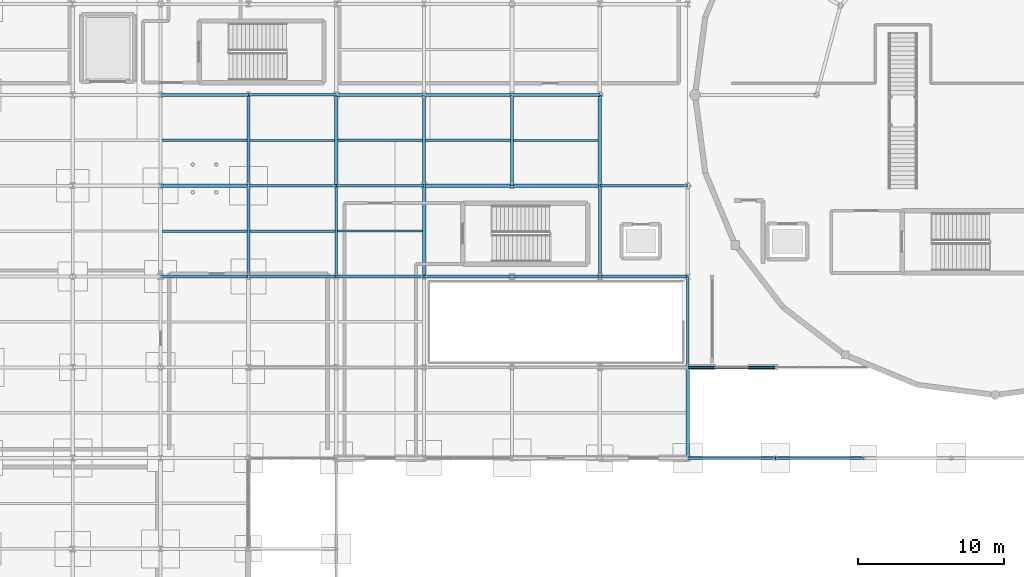
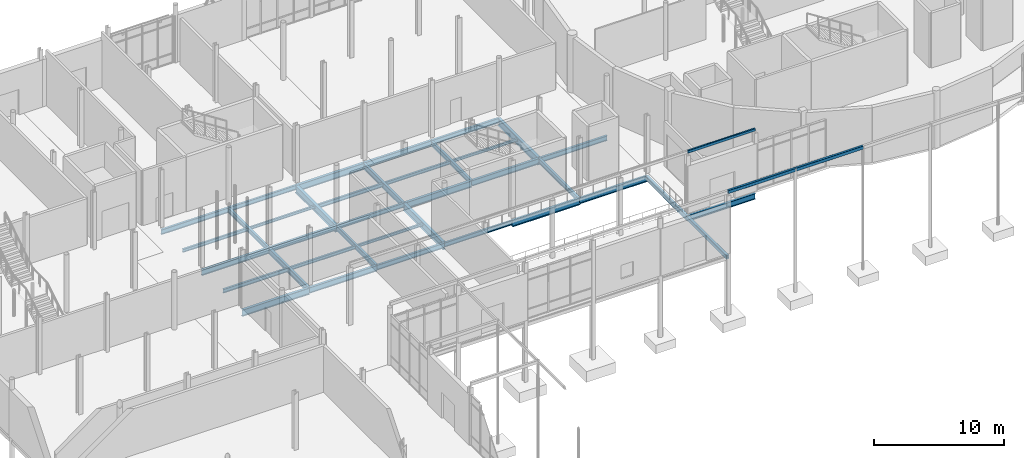
# One storey, part 34 of 98: 40 beams.
"""IFC4 building model written with IfcOpenShell, lengths in metres."""

from ifc_helpers import new_model, si_unit, direction, frame, origin, origin_2d, place, context, subcontext, project, spatial, hollow_rectangle, i_section, extrude, material, material_profile, profile_set, type_object, element, save


model = new_model("IFC4")

# Units and contexts
model_context = context("Model", 3, precision=1e-05, world=origin(), true_north=direction((0.0, 1.0)))
body_context = subcontext(model_context, "Body", "Model", "MODEL_VIEW")
ifc_project = project(units=[si_unit("LENGTHUNIT", "METRE"), si_unit("AREAUNIT", "SQUARE_METRE"), si_unit("VOLUMEUNIT", "CUBIC_METRE"), si_unit("PLANEANGLEUNIT", "RADIAN"), si_unit("MASSUNIT", "GRAM", prefix="KILO")], contexts=[model_context])

# Site, building, storey
site_placement = place(None, origin())
site = spatial("IfcSite", under=ifc_project, at=site_placement, CompositionType="ELEMENT")
building_placement = place(site_placement, origin())
building = spatial("IfcBuilding", under=site, at=building_placement, Name="Mirzam Square Science Centre", CompositionType="ELEMENT")
storey_placement = place(building_placement, origin())
storey = spatial("IfcBuildingStorey", under=building, at=storey_placement, Name="L00", CompositionType="ELEMENT", Elevation=0.0)

# Beams
ifc_material = material(Name="Steel S355", Category="steel")
ifc_material_profile_1 = material_profile(ifc_material, i_section(OverallWidth=0.1787109375, OverallDepth=0.409423828125, WebThickness=0.0087890625, FlangeThickness=0.014404296875, FilletRadius=0.01025390625, at=origin_2d()), Name="406x178x67UB")
ifc_profile_set_1 = profile_set([ifc_material_profile_1], Name="Steel S355")
beam_type_1 = type_object("IfcBeamType", Name="BM-UB406", PredefinedType="BEAM", material=ifc_profile_set_1)
for number, where, z_axis, x_axis, name in (
    (1, (42.0, 49.60009765625, -0.504638671875), (1.0, 0.0, 0.0), (0.0, 1.0, 0.0), "L00 girder X8-9"),
    (2, (36.0, 55.800048828125, -0.504638671875), (1.0, 0.0, 0.0), (0.0, 1.0, 0.0), "L00 girder X7-10"),
    (3, (30.0, 62.0, -0.504638671875), (1.0, 0.0, 0.0), (0.0, 1.0, 0.0), "L00 girder X6-11"),
):
    element("IfcBeam", number, at=place(storey_placement, frame(where, z_axis=z_axis, x_axis=x_axis)), inside=storey, type_object=beam_type_1, Name=name, PredefinedType="BEAM", context=body_context, shape_type="SweptSolid", body=[
        extrude(i_section(OverallWidth=0.1787109375, OverallDepth=0.409423828125, WebThickness=0.0087890625, FlangeThickness=0.014404296875, FilletRadius=0.01025390625, at=origin_2d()), origin(), (0.0, 0.0, 1.0), 6.0),
    ])
ifc_material_profile_2 = material_profile(ifc_material, i_section(OverallWidth=0.19140625, OverallDepth=0.4599609375, WebThickness=0.010009765625, FlangeThickness=0.01611328125, FilletRadius=0.01025390625, at=origin_2d()), Name="457x191x82UB")
ifc_profile_set_2 = profile_set([ifc_material_profile_2], Name="Steel S355")
beam_type_2 = type_object("IfcBeamType", Name="BM-UB457", PredefinedType="BEAM", material=ifc_profile_set_2)
for number, where, z_axis, x_axis, name in (
    (4, (36.0, 49.60009765625, -0.530029296875), (1.0, 0.0, 0.0), (0.0, 1.0, 0.0), "L00 girder X7-9"),
    (5, (30.0, 55.800048828125, -0.530029296875), (1.0, 0.0, 0.0), (0.0, 1.0, 0.0), "L00 girder X6-10"),
    (6, (54.0, 55.800048828125, -0.530029296875), (1.0, 0.0, 0.0), (0.0, 1.0, 0.0), "L00 girder X10-10"),
    (7, (24.0, 62.0, -0.530029296875), (1.0, 0.0, 0.0), (0.0, 1.0, 0.0), "L00 girder X5-11"),
    (8, (48.0, 62.0, -0.530029296875), (1.0, 0.0, 0.0), (0.0, 1.0, 0.0), "L00 girder X9-11"),
):
    element("IfcBeam", number, at=place(storey_placement, frame(where, z_axis=z_axis, x_axis=x_axis)), inside=storey, type_object=beam_type_2, Name=name, PredefinedType="BEAM", context=body_context, shape_type="SweptSolid", body=[
        extrude(i_section(OverallWidth=0.19140625, OverallDepth=0.4599609375, WebThickness=0.010009765625, FlangeThickness=0.01611328125, FilletRadius=0.01025390625, at=origin_2d()), origin(), (0.0, 0.0, 1.0), 6.0),
    ])
for number, where, z_axis, x_axis, name in (
    (9, (30.0, 55.800048828125, -0.530029296875), (0.0, 1.0, 0.0), (-1.0, 0.0, 0.0), "L00 girder Y6-10"),
    (10, (36.0, 49.60009765625, -0.530029296875), (0.0, 1.0, 0.0), (-1.0, 0.0, 0.0), "L00 girder Y7-9"),
    (11, (48.0, 55.800048828125, -0.530029296875), (0.0, 1.0, 0.0), (-1.0, 0.0, 0.0), "L00 girder Y9-10"),
    (12, (54.0, 49.60009765625, -0.530029296875), (0.0, 1.0, 0.0), (-1.0, 0.0, 0.0), "L00 girder Y10-9"),
):
    element("IfcBeam", number, at=place(storey_placement, frame(where, z_axis=z_axis, x_axis=x_axis)), inside=storey, type_object=beam_type_2, Name=name, PredefinedType="BEAM", context=body_context, shape_type="SweptSolid", body=[
        extrude(i_section(OverallWidth=0.19140625, OverallDepth=0.4599609375, WebThickness=0.010009765625, FlangeThickness=0.01611328125, FilletRadius=0.01025390625, at=origin_2d()), origin(), (0.0, 0.0, 1.0), 6.199951171875),
    ])
beam_1_placement = place(storey_placement, frame((60.0, 43.39990234375, -0.530029296875), z_axis=(0.0, 1.0, 0.0), x_axis=(-1.0, 0.0, 0.0)))
element("IfcBeam", 13, at=beam_1_placement, inside=storey, type_object=beam_type_2, Name="L00 girder Y11-8", PredefinedType="BEAM", context=body_context, shape_type="SweptSolid", body=[
    extrude(i_section(OverallWidth=0.19140625, OverallDepth=0.4599609375, WebThickness=0.010009765625, FlangeThickness=0.01611328125, FilletRadius=0.01025390625, at=origin_2d()), origin(), (0.0, 0.0, 1.0), 6.2001953125),
])
ifc_material_profile_3 = material_profile(ifc_material, i_section(OverallWidth=0.2099609375, OverallDepth=0.53662109375, WebThickness=0.0107421875, FlangeThickness=0.017333984375, FilletRadius=0.0126953125, at=origin_2d()), Name="533x210x101UB")
ifc_profile_set_3 = profile_set([ifc_material_profile_3], Name="Steel S355")
beam_type_3 = type_object("IfcBeamType", Name="BM-UB533", PredefinedType="BEAM", material=ifc_profile_set_3)
for number, where, z_axis, x_axis, name in (
    (14, (60.0, 43.39990234375, -0.568359375), (1.0, 0.0, 0.0), (0.0, 1.0, 0.0), "L00 girder X11-8"),
    (15, (30.0, 49.60009765625, -0.568359375), (1.0, 0.0, 0.0), (0.0, 1.0, 0.0), "L00 girder X6-9"),
    (16, (54.0, 49.60009765625, -0.568359375), (1.0, 0.0, 0.0), (0.0, 1.0, 0.0), "L00 girder X10-9"),
    (17, (24.0, 55.800048828125, -0.568359375), (1.0, 0.0, 0.0), (0.0, 1.0, 0.0), "L00 girder X5-10"),
    (18, (48.0, 55.800048828125, -0.568359375), (1.0, 0.0, 0.0), (0.0, 1.0, 0.0), "L00 girder X9-10"),
    (19, (42.0, 62.0, -0.568359375), (1.0, 0.0, 0.0), (0.0, 1.0, 0.0), "L00 girder X8-11"),
):
    element("IfcBeam", number, at=place(storey_placement, frame(where, z_axis=z_axis, x_axis=x_axis)), inside=storey, type_object=beam_type_3, Name=name, PredefinedType="BEAM", context=body_context, shape_type="SweptSolid", body=[
        extrude(i_section(OverallWidth=0.2099609375, OverallDepth=0.53662109375, WebThickness=0.0107421875, FlangeThickness=0.017333984375, FilletRadius=0.0126953125, at=origin_2d()), origin(), (0.0, 0.0, 1.0), 6.0),
    ])
for number, where, z_axis, x_axis, name in (
    (20, (30.0, 49.60009765625, -0.568359375), (0.0, 1.0, 0.0), (-1.0, 0.0, 0.0), "L00 girder Y6-9"),
    (21, (42.0, 55.800048828125, -0.568359375), (0.0, 1.0, 0.0), (-1.0, 0.0, 0.0), "L00 girder Y8-10"),
):
    element("IfcBeam", number, at=place(storey_placement, frame(where, z_axis=z_axis, x_axis=x_axis)), inside=storey, type_object=beam_type_3, Name=name, PredefinedType="BEAM", context=body_context, shape_type="SweptSolid", body=[
        extrude(i_section(OverallWidth=0.2099609375, OverallDepth=0.53662109375, WebThickness=0.0107421875, FlangeThickness=0.017333984375, FilletRadius=0.0126953125, at=origin_2d()), origin(), (0.0, 0.0, 1.0), 6.199951171875),
    ])
ifc_material_profile_4 = material_profile(ifc_material, i_section(OverallWidth=0.22900390625, OverallDepth=0.6123046875, WebThickness=0.011962890625, FlangeThickness=0.01953125, FilletRadius=0.0126953125, at=origin_2d()), Name="610x229x125UB")
ifc_profile_set_4 = profile_set([ifc_material_profile_4], Name="Steel S355")
beam_type_4 = type_object("IfcBeamType", Name="BM-UB610", PredefinedType="BEAM", material=ifc_profile_set_4)
for number, where, z_axis, x_axis, name in (
    (22, (24.0, 49.60009765625, -0.606201171875), (1.0, 0.0, 0.0), (0.0, 1.0, 0.0), "L00 girder X5-9"),
    (23, (48.0, 49.60009765625, -0.606201171875), (1.0, 0.0, 0.0), (0.0, 1.0, 0.0), "L00 girder X9-9"),
    (24, (42.0, 55.800048828125, -0.606201171875), (1.0, 0.0, 0.0), (0.0, 1.0, 0.0), "L00 girder X8-10"),
    (25, (36.0, 62.0, -0.606201171875), (1.0, 0.0, 0.0), (0.0, 1.0, 0.0), "L00 girder X7-11"),
):
    element("IfcBeam", number, at=place(storey_placement, frame(where, z_axis=z_axis, x_axis=x_axis)), inside=storey, type_object=beam_type_4, Name=name, PredefinedType="BEAM", context=body_context, shape_type="SweptSolid", body=[
        extrude(i_section(OverallWidth=0.22900390625, OverallDepth=0.6123046875, WebThickness=0.011962890625, FlangeThickness=0.01953125, FilletRadius=0.0126953125, at=origin_2d()), origin(), (0.0, 0.0, 1.0), 6.0),
    ])
ifc_material_profile_5 = material_profile(ifc_material, i_section(OverallWidth=0.25439453125, OverallDepth=0.6875, WebThickness=0.01318359375, FlangeThickness=0.02099609375, FilletRadius=0.01513671875, at=origin_2d()), Name="686x254x152UB")
ifc_profile_set_5 = profile_set([ifc_material_profile_5], Name="Steel S355")
beam_type_5 = type_object("IfcBeamType", Name="BM-UB686", PredefinedType="BEAM", material=ifc_profile_set_5)
for number, where, z_axis, x_axis, name in (
    (26, (36.0, 55.800048828125, -0.643798828125), (0.0, 1.0, 0.0), (-1.0, 0.0, 0.0), "L00 girder Y7-10"),
    (27, (42.0, 49.60009765625, -0.643798828125), (0.0, 1.0, 0.0), (-1.0, 0.0, 0.0), "L00 girder Y8-9"),
    (28, (54.0, 55.800048828125, -0.643798828125), (0.0, 1.0, 0.0), (-1.0, 0.0, 0.0), "L00 girder Y10-10"),
):
    element("IfcBeam", number, at=place(storey_placement, frame(where, z_axis=z_axis, x_axis=x_axis)), inside=storey, type_object=beam_type_5, Name=name, PredefinedType="BEAM", context=body_context, shape_type="SweptSolid", body=[
        extrude(i_section(OverallWidth=0.25439453125, OverallDepth=0.6875, WebThickness=0.01318359375, FlangeThickness=0.02099609375, FilletRadius=0.01513671875, at=origin_2d()), origin(), (0.0, 0.0, 1.0), 6.199951171875),
    ])
ifc_material_profile_6 = material_profile(ifc_material, i_section(OverallWidth=0.146484375, OverallDepth=0.256103515625, WebThickness=0.00634765625, FlangeThickness=0.010986328125, FilletRadius=0.007568359375, at=origin_2d()), Name="254x146x37UB")
ifc_profile_set_6 = profile_set([ifc_material_profile_6], Name="Steel S355")
beam_type_6 = type_object("IfcBeamType", Name="JS-UB254", PredefinedType="JOIST", material=ifc_profile_set_6)
for number, where, z_axis, x_axis, name in (
    (29, (30.095703125, 58.89990234375, -0.427978515625), (1.0, 0.0, 0.0), (0.0, 1.0, 0.0), "L00 composite joist 6-10"),
    (30, (36.095703125, 52.699951171875, -0.427978515625), (1.0, 0.0, 0.0), (0.0, 1.0, 0.0), "L00 composite joist 7-9"),
    (31, (48.095703125, 58.89990234375, -0.427978515625), (1.0, 0.0, 0.0), (0.0, 1.0, 0.0), "L00 composite joist 9-10"),
):
    element("IfcBeam", number, at=place(storey_placement, frame(where, z_axis=z_axis, x_axis=x_axis)), inside=storey, type_object=beam_type_6, Name=name, PredefinedType="JOIST", context=body_context, shape_type="SweptSolid", body=[
        extrude(i_section(OverallWidth=0.146484375, OverallDepth=0.256103515625, WebThickness=0.00634765625, FlangeThickness=0.010986328125, FilletRadius=0.007568359375, at=origin_2d()), origin(), (0.0, 0.0, 1.0), 5.777099609375),
    ])
ifc_material_profile_7 = material_profile(ifc_material, i_section(OverallWidth=0.165771484375, OverallDepth=0.306640625, WebThickness=0.006591796875, FlangeThickness=0.01171875, FilletRadius=0.0087890625, at=origin_2d()), Name="305x165x46UB")
ifc_profile_set_7 = profile_set([ifc_material_profile_7], Name="Steel S355")
beam_type_7 = type_object("IfcBeamType", Name="JS-UB305", PredefinedType="JOIST", material=ifc_profile_set_7)
for number, where, z_axis, x_axis, name in (
    (32, (24.10498046875, 58.89990234375, -0.453369140625), (1.0, 0.0, 0.0), (0.0, 1.0, 0.0), "L00 composite joist 5-10"),
    (33, (30.10498046875, 52.699951171875, -0.453369140625), (1.0, 0.0, 0.0), (0.0, 1.0, 0.0), "L00 composite joist 6-9"),
    (34, (42.10498046875, 58.89990234375, -0.453369140625), (1.0, 0.0, 0.0), (0.0, 1.0, 0.0), "L00 composite joist 8-10"),
):
    element("IfcBeam", number, at=place(storey_placement, frame(where, z_axis=z_axis, x_axis=x_axis)), inside=storey, type_object=beam_type_7, Name=name, PredefinedType="JOIST", context=body_context, shape_type="SweptSolid", body=[
        extrude(i_section(OverallWidth=0.165771484375, OverallDepth=0.306640625, WebThickness=0.006591796875, FlangeThickness=0.01171875, FilletRadius=0.0087890625, at=origin_2d()), origin(), (0.0, 0.0, 1.0), 5.79931640625),
    ])
ifc_material_profile_8 = material_profile(ifc_material, i_section(OverallWidth=0.172119140625, OverallDepth=0.35791015625, WebThickness=0.008056640625, FlangeThickness=0.012939453125, FilletRadius=0.01025390625, at=origin_2d()), Name="356x171x57UB")
ifc_profile_set_8 = profile_set([ifc_material_profile_8], Name="Steel S355")
beam_type_8 = type_object("IfcBeamType", Name="JS-UB356", PredefinedType="JOIST", material=ifc_profile_set_8)
for number, where, z_axis, x_axis, name in (
    (35, (24.127197265625, 52.699951171875, -0.47900390625), (1.0, 0.0, 0.0), (0.0, 1.0, 0.0), "L00 composite joist 5-9"),
    (36, (36.127197265625, 58.89990234375, -0.47900390625), (1.0, 0.0, 0.0), (0.0, 1.0, 0.0), "L00 composite joist 7-10"),
):
    element("IfcBeam", number, at=place(storey_placement, frame(where, z_axis=z_axis, x_axis=x_axis)), inside=storey, type_object=beam_type_8, Name=name, PredefinedType="JOIST", context=body_context, shape_type="SweptSolid", body=[
        extrude(i_section(OverallWidth=0.172119140625, OverallDepth=0.35791015625, WebThickness=0.008056640625, FlangeThickness=0.012939453125, FilletRadius=0.01025390625, at=origin_2d()), origin(), (0.0, 0.0, 1.0), 5.767822265625),
    ])
ifc_material_profile_9 = material_profile(ifc_material, hollow_rectangle(XDim=0.14990234375, YDim=0.25, WallThickness=0.010009765625, InnerFilletRadius=0.010009765625, OuterFilletRadius=0.02001953125, at=origin_2d()), Name="250x150x10.0RHS")
ifc_profile_set_9 = profile_set([ifc_material_profile_9], Name="Steel S355")
beam_type_9 = type_object("IfcBeamType", Name="SP-RHS250", PredefinedType="SPANDREL", material=ifc_profile_set_9)
beam_2_placement = place(storey_placement, frame((60.0, 43.39990234375, 5.669921875), z_axis=(1.0, 0.0, 0.0), x_axis=(0.0, 1.0, 0.0)))
element("IfcBeam", 37, at=beam_2_placement, inside=storey, type_object=beam_type_9, Name="Square colonnade outer beam 11", PredefinedType="SPANDREL", context=body_context, shape_type="SweptSolid", body=[
    extrude(hollow_rectangle(XDim=0.14990234375, YDim=0.25, WallThickness=0.010009765625, InnerFilletRadius=0.010009765625, OuterFilletRadius=0.02001953125, at=origin_2d()), origin(), (0.0, 0.0, 1.0), 6.0),
])
ifc_material_profile_10 = material_profile(ifc_material, hollow_rectangle(XDim=0.199951171875, YDim=0.300048828125, WallThickness=0.010009765625, InnerFilletRadius=0.010009765625, OuterFilletRadius=0.02001953125, at=origin_2d()), Name="300x200x10.0RHS")
ifc_profile_set_10 = profile_set([ifc_material_profile_10], Name="Steel S355")
beam_type_10 = type_object("IfcBeamType", Name="SP-RHS300", PredefinedType="SPANDREL", material=ifc_profile_set_10)
for number, where, z_axis, x_axis, name in (
    (38, (60.0, 37.199951171875, 5.669921875), (1.0, 0.0, 0.0), (0.0, 1.0, 0.0), "Square colonnade beam 11"),
    (39, (66.0, 37.199951171875, 5.669921875), (1.0, 0.0, 0.0), (0.0, 1.0, 0.0), "Square colonnade beam 12"),
):
    element("IfcBeam", number, at=place(storey_placement, frame(where, z_axis=z_axis, x_axis=x_axis)), inside=storey, type_object=beam_type_10, Name=name, PredefinedType="SPANDREL", context=body_context, shape_type="SweptSolid", body=[
        extrude(hollow_rectangle(XDim=0.199951171875, YDim=0.300048828125, WallThickness=0.010009765625, InnerFilletRadius=0.010009765625, OuterFilletRadius=0.02001953125, at=origin_2d()), origin(), (0.0, 0.0, 1.0), 6.0),
    ])
ifc_material_profile_11 = material_profile(ifc_material, hollow_rectangle(XDim=0.25, YDim=0.35009765625, WallThickness=0.012451171875, InnerFilletRadius=0.012451171875, OuterFilletRadius=0.02490234375, at=origin_2d()), Name="350x250x12.5RHS")
ifc_profile_set_11 = profile_set([ifc_material_profile_11], Name="Steel S355")
beam_type_11 = type_object("IfcBeamType", Name="SP-RHS350", PredefinedType="SPANDREL", material=ifc_profile_set_11)
beam_3_placement = place(storey_placement, frame((60.0, 37.199951171875, -0.47509765625), z_axis=(0.0, 1.0, 0.0), x_axis=(-1.0, 0.0, 0.0)))
element("IfcBeam", 40, at=beam_3_placement, inside=storey, type_object=beam_type_11, Name="L00 girder Y11-7", PredefinedType="SPANDREL", context=body_context, shape_type="SweptSolid", body=[
    extrude(hollow_rectangle(XDim=0.25, YDim=0.35009765625, WallThickness=0.012451171875, InnerFilletRadius=0.012451171875, OuterFilletRadius=0.02490234375, at=origin_2d()), origin(), (0.0, 0.0, 1.0), 6.199951171875),
])

save(model, "model.ifc")
